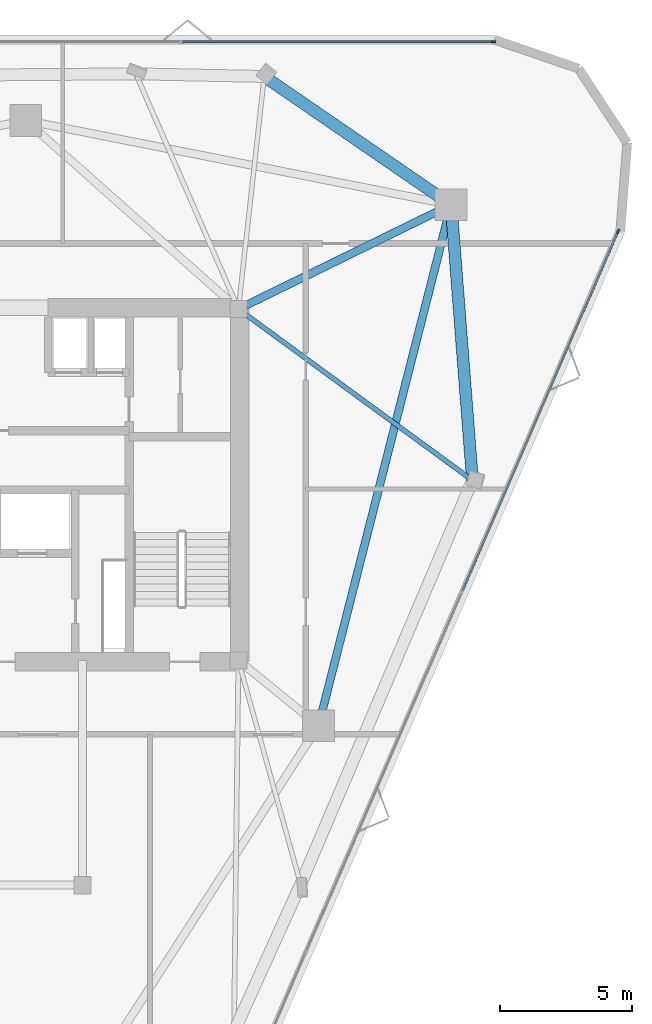
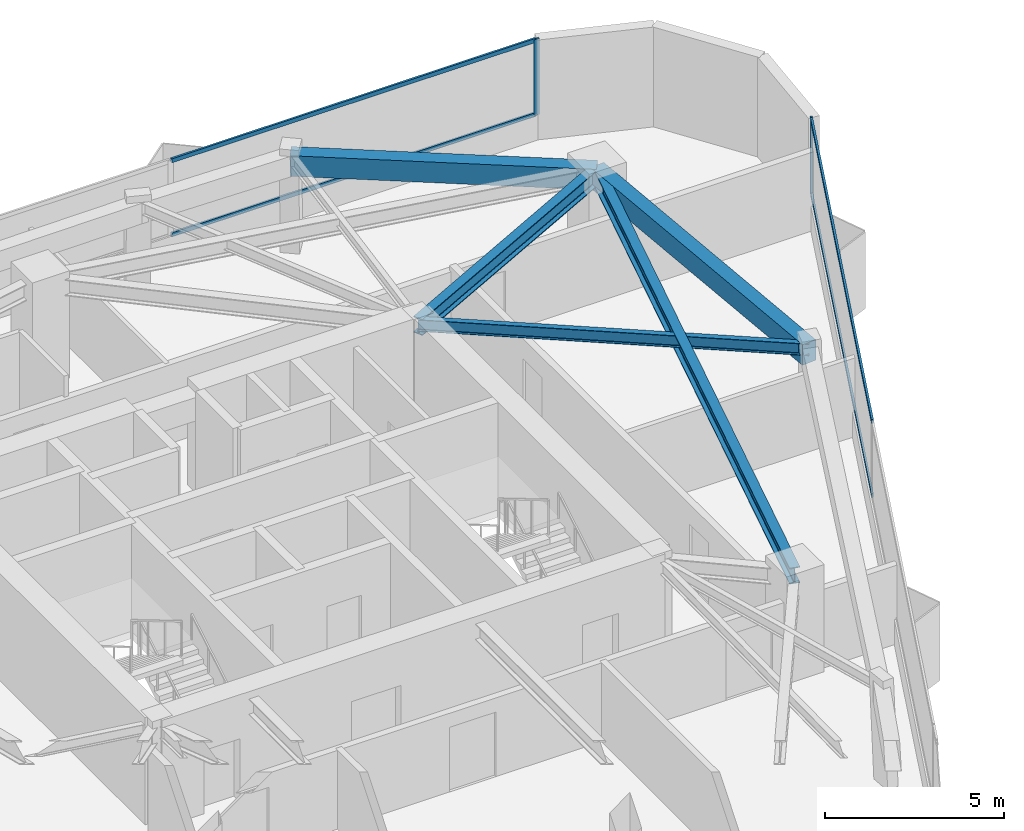
# One storey, part 7 of 11: 6 members, 5 beams, 2 elements without a shape of their own.
"""IFC4 building model written with IfcOpenShell, lengths in metres."""

from ifc_helpers import new_model, si_unit, direction, frame, origin, origin_2d, place, context, subcontext, project, spatial, rectangle, i_section, extrude, material, layer, layer_set, material_profile, profile_set, type_object, element, aggregate, save


model = new_model("IFC4")

# Units and contexts
model_context = context("Model", 3, precision=1e-05, world=origin(), true_north=direction((0.0, 1.0)))
body_context = subcontext(model_context, "Body", "Model", "MODEL_VIEW")
ifc_project = project(units=[si_unit("LENGTHUNIT", "METRE"), si_unit("AREAUNIT", "SQUARE_METRE"), si_unit("VOLUMEUNIT", "CUBIC_METRE"), si_unit("PLANEANGLEUNIT", "RADIAN"), si_unit("MASSUNIT", "GRAM", prefix="KILO")], contexts=[model_context])

# Site, building, storey
site_placement = place(None, origin())
site = spatial("IfcSite", under=ifc_project, at=site_placement, CompositionType="ELEMENT")
building_placement = place(site_placement, origin())
building = spatial("IfcBuilding", under=site, at=building_placement, Name="Talyreon Biosciences Tower", CompositionType="ELEMENT")
storey_placement = place(building_placement, frame((0.0, 0.0, 264.449951171875)))
storey = spatial("IfcBuildingStorey", under=building, at=storey_placement, Name="L70", CompositionType="ELEMENT", Elevation=264.449951171875)

# Curtain wall, member
ifc_material_1 = material(Name="Thermally broken aluminium and low-E glazing", Category="aluminium")
ifc_layer = layer(ifc_material_1, 0.175048828125)
ifc_layer_set = layer_set([ifc_layer], Name="Thermally broken aluminium and low-E glazing")
curtain_wall_type = type_object("IfcCurtainWallType", Name="CurtainWall_Zone5CompLab", PredefinedType="NOTDEFINED", material=ifc_layer_set)
curtain_wall_1_placement = place(storey_placement, origin())
curtain_wall_1 = element("IfcCurtainWall", 1, at=curtain_wall_1_placement, inside=storey, type_object=curtain_wall_type, Name="L70 Unitised Curtain Wall FCW-L70-04", PredefinedType="NOTDEFINED")
ifc_material_2 = material(Name="Anodised thermally broken aluminium", Category="aluminium")
ifc_material_profile_1 = material_profile(ifc_material_2, rectangle(XDim=0.06494140625, YDim=0.179931640625, at=origin_2d()), Name="ALUM MULLION 65x180")
ifc_profile_set_1 = profile_set([ifc_material_profile_1], Name="Anodised thermally broken aluminium")
member_type_1 = type_object("IfcMemberType", Name="CWMullion_65x180", PredefinedType="MULLION", material=ifc_profile_set_1)
member_1_placement = place(storey_placement, frame((83.7060546875, 84.77099609375, 0.81005859375), z_axis=(0.0, 0.0, 1.0), x_axis=(0.0, 1.0, 0.0)))
member_1 = element("IfcMember", 2, at=member_1_placement, type_object=member_type_1, Name="CW6 mullion 4", PredefinedType="MULLION", context=body_context, shape_type="SweptSolid", body=[
    extrude(rectangle(XDim=0.06494140625, YDim=0.179931640625, at=origin_2d()), origin(), (0.0, 0.0, 1.0), 2.590087890625),
])

curtain_wall_2_placement = place(storey_placement, origin())
curtain_wall_2 = element("IfcCurtainWall", 3, at=curtain_wall_2_placement, inside=storey, type_object=curtain_wall_type, Name="L70 Unitised Curtain Wall FCW-L70-08", PredefinedType="NOTDEFINED")
member_2_placement = place(storey_placement, frame((88.42431640625, 77.58740234375, 0.81005859375), z_axis=(0.0, 0.0, 1.0), x_axis=(0.917723103703, -0.397220725706, 0.0)))
member_2 = element("IfcMember", 4, at=member_2_placement, type_object=member_type_1, Name="CW6 mullion 1", PredefinedType="MULLION", context=body_context, shape_type="SweptSolid", body=[
    extrude(rectangle(XDim=0.06494140625, YDim=0.179931640625, at=origin_2d()), origin(), (0.0, 0.0, 1.0), 2.590087890625),
])

# Member
ifc_material_profile_2 = material_profile(ifc_material_2, rectangle(XDim=0.06494140625, YDim=0.139892578125, at=origin_2d()), Name="ALUM TRANSOM 65x140")
ifc_profile_set_2 = profile_set([ifc_material_profile_2], Name="Anodised thermally broken aluminium")
member_type_2 = type_object("IfcMemberType", Name="CWTransom_65x140", PredefinedType="USERDEFINED", material=ifc_profile_set_2)
member_3_placement = place(storey_placement, frame((71.9453125, 84.77099609375, 0.842529296875), z_axis=(1.0, 0.0, 0.0), x_axis=(0.0, 1.0, 0.0)))
member_3 = element("IfcMember", 5, at=member_3_placement, type_object=member_type_2, Name="CW6 transom 3.1", ObjectType="TRANSOM", PredefinedType="USERDEFINED", context=body_context, shape_type="SweptSolid", body=[
    extrude(rectangle(XDim=0.06494140625, YDim=0.139892578125, at=origin_2d()), origin(), (0.0, 0.0, 1.0), 11.728271484375),
])

member_4_placement = place(storey_placement, frame((71.9453125, 84.77099609375, 3.367431640625), z_axis=(1.0, 0.0, 0.0), x_axis=(0.0, 1.0, 0.0)))
member_4 = element("IfcMember", 6, at=member_4_placement, type_object=member_type_2, Name="CW6 transom 3.2", ObjectType="TRANSOM", PredefinedType="USERDEFINED", context=body_context, shape_type="SweptSolid", body=[
    extrude(rectangle(XDim=0.06494140625, YDim=0.139892578125, at=origin_2d()), origin(), (0.0, 0.0, 1.0), 11.728271484375),
])

aggregate(curtain_wall_1, [member_1, member_3, member_4])

member_5_placement = place(storey_placement, frame((88.411376953125, 77.5576171875, 0.842529296875), z_axis=(-0.397216364839, -0.917724991217, 0.0), x_axis=(0.917724991217, -0.397216364839, 0.0)))
member_5 = element("IfcMember", 7, at=member_5_placement, type_object=member_type_2, Name="CW6 transom 1.1", ObjectType="TRANSOM", PredefinedType="USERDEFINED", context=body_context, shape_type="SweptSolid", body=[
    extrude(rectangle(XDim=0.06494140625, YDim=0.139892578125, at=origin_2d()), origin(), (0.0, 0.0, 1.0), 14.7880859375),
])

member_6_placement = place(storey_placement, frame((88.411376953125, 77.5576171875, 3.367431640625), z_axis=(-0.397216364839, -0.917724991217, 0.0), x_axis=(0.917724991217, -0.397216364839, 0.0)))
member_6 = element("IfcMember", 8, at=member_6_placement, type_object=member_type_2, Name="CW6 transom 1.2", ObjectType="TRANSOM", PredefinedType="USERDEFINED", context=body_context, shape_type="SweptSolid", body=[
    extrude(rectangle(XDim=0.06494140625, YDim=0.139892578125, at=origin_2d()), origin(), (0.0, 0.0, 1.0), 14.7880859375),
])

aggregate(curtain_wall_2, [member_2, member_5, member_6])

# Beams
ifc_material_3 = material(Name="Precast concrete C45/55", Category="concrete")
ifc_material_profile_3 = material_profile(ifc_material_3, rectangle(XDim=0.449951171875, YDim=0.699951171875, at=origin_2d()), Name="RCB 450x700")
ifc_profile_set_3 = profile_set([ifc_material_profile_3], Name="Precast concrete C45/55")
beam_type_1 = type_object("IfcBeamType", Name="ExpressedSpandrel_450x700", PredefinedType="SPANDREL", material=ifc_profile_set_3)
beam_1_placement = place(storey_placement, frame((82.911865234375, 68.16552734375, 3.050048828125), z_axis=(-0.077363732235, 0.997002935269, 0.0), x_axis=(-0.997002935269, -0.077363732235, 0.0)))
element("IfcBeam", 9, at=beam_1_placement, inside=storey, type_object=beam_type_1, Name="L70 Expressed Horizontal Concrete Spandrel 04", PredefinedType="SPANDREL", context=body_context, shape_type="SweptSolid", body=[
    extrude(rectangle(XDim=0.449951171875, YDim=0.699951171875, at=origin_2d()), origin(), (0.0, 0.0, 1.0), 10.46435546875),
])
beam_2_placement = place(storey_placement, frame((82.102294921875, 78.5986328125, 3.050048828125), z_axis=(-0.824360551935, 0.566065084962, 0.0), x_axis=(-0.566065084962, -0.824360551935, 0.0)))
element("IfcBeam", 10, at=beam_2_placement, inside=storey, type_object=beam_type_1, Name="L70 Expressed Horizontal Concrete Spandrel 05", PredefinedType="SPANDREL", context=body_context, shape_type="SweptSolid", body=[
    extrude(rectangle(XDim=0.449951171875, YDim=0.699951171875, at=origin_2d()), origin(), (0.0, 0.0, 1.0), 8.58154296875),
])
ifc_material_4 = material(Name="Steel SM355", Category="steel")
ifc_material_profile_4 = material_profile(ifc_material_4, i_section(OverallWidth=0.300048828125, OverallDepth=0.550048828125, WebThickness=0.014892578125, FlangeThickness=0.029052734375, FilletRadius=0.027099609375, at=origin_2d()), Name="HE550B")
ifc_profile_set_4 = profile_set([ifc_material_profile_4], Name="Steel SM355")
beam_type_2 = type_object("IfcBeamType", Name="SteelBeam_HE550B", PredefinedType="BEAM", material=ifc_profile_set_4)
beam_3_placement = place(storey_placement, frame((77.086181640625, 58.88037109375, 3.125), z_axis=(0.246537082299, 0.969133358755, 0.0), x_axis=(-0.969133358755, 0.246537082299, 0.0)))
element("IfcBeam", 11, at=beam_3_placement, inside=storey, type_object=beam_type_2, Name="L70 Mega-Ring Girder 2", PredefinedType="BEAM", context=body_context, shape_type="SweptSolid", body=[
    extrude(i_section(OverallWidth=0.300048828125, OverallDepth=0.550048828125, WebThickness=0.014892578125, FlangeThickness=0.029052734375, FilletRadius=0.027099609375, at=origin_2d()), origin(), (0.0, 0.0, 1.0), 20.34619140625),
])
beam_4_placement = place(storey_placement, frame((74.050048828125, 74.64990234375, 3.125), z_axis=(0.897852360314, 0.440296648952, 0.0), x_axis=(-0.440296648952, 0.897852360314, 0.0)))
element("IfcBeam", 12, at=beam_4_placement, inside=storey, type_object=beam_type_2, Name="L70 Radial Primary Girder 3", PredefinedType="BEAM", context=body_context, shape_type="SweptSolid", body=[
    extrude(i_section(OverallWidth=0.300048828125, OverallDepth=0.550048828125, WebThickness=0.014892578125, FlangeThickness=0.029052734375, FilletRadius=0.027099609375, at=origin_2d()), origin(), (0.0, 0.0, 1.0), 8.96826171875),
])
ifc_material_profile_5 = material_profile(ifc_material_4, i_section(OverallWidth=0.179931640625, OverallDepth=0.39990234375, WebThickness=0.008544921875, FlangeThickness=0.013427734375, FilletRadius=0.02099609375, at=origin_2d()), Name="IPE400")
ifc_profile_set_5 = profile_set([ifc_material_profile_5], Name="Steel SM355")
beam_type_3 = type_object("IfcBeamType", Name="SteelJoist_IPE400", PredefinedType="JOIST", material=ifc_profile_set_5)
beam_5_placement = place(storey_placement, frame((74.050048828125, 74.64990234375, 3.199951171875), z_axis=(0.807025157091, -0.590517058029, 0.0), x_axis=(0.590517058029, 0.807025157091, 0.0)))
element("IfcBeam", 13, at=beam_5_placement, inside=storey, type_object=beam_type_3, Name="L70 Radial Composite Floor Joist PC-SE2", PredefinedType="JOIST", context=body_context, shape_type="SweptSolid", body=[
    extrude(i_section(OverallWidth=0.179931640625, OverallDepth=0.39990234375, WebThickness=0.008544921875, FlangeThickness=0.013427734375, FilletRadius=0.02099609375, at=origin_2d()), origin(), (0.0, 0.0, 1.0), 10.98095703125),
])

save(model, "model.ifc")
